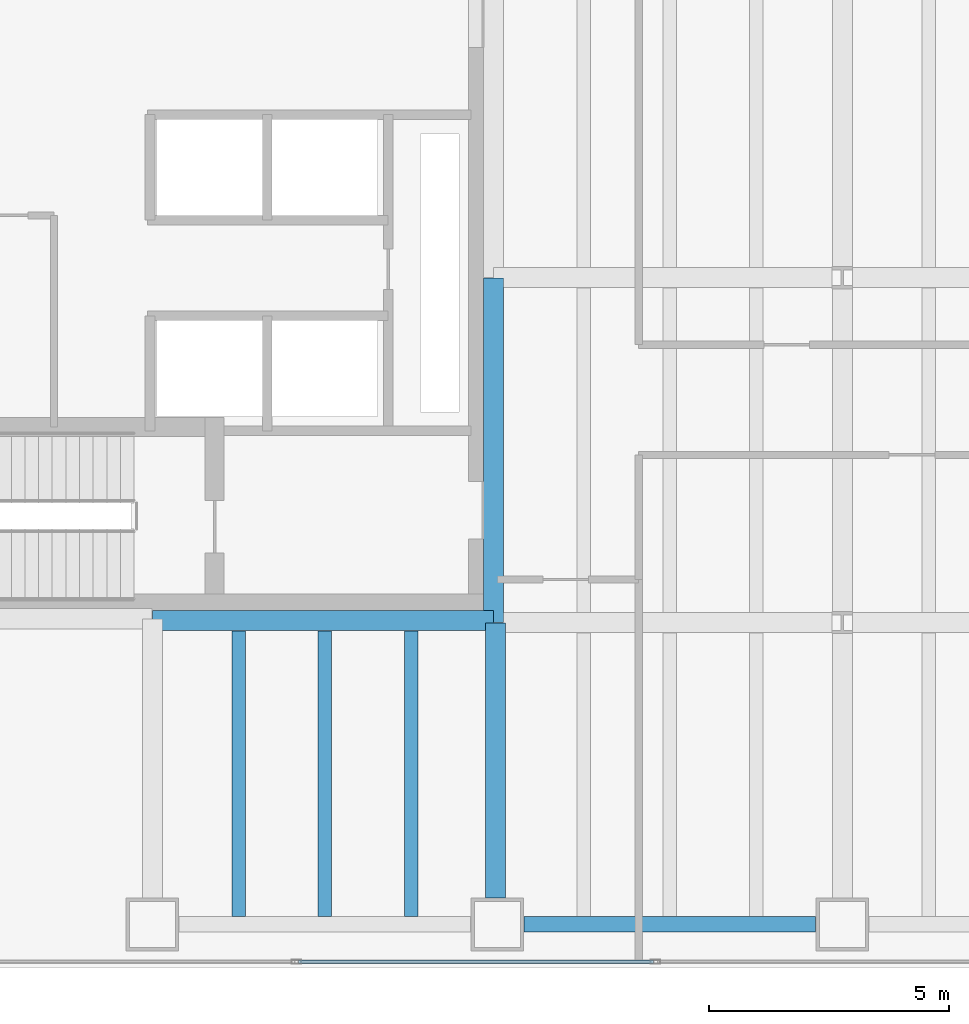
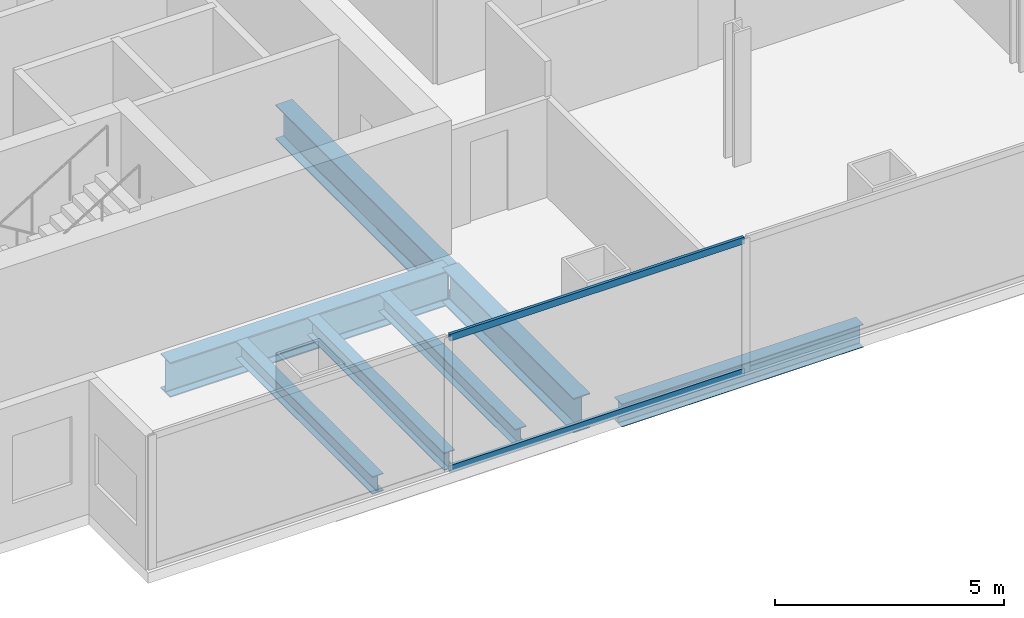
# One storey, part 3 of 25: 7 beams, 2 members, 1 element without a shape of its own.
"""IFC4 building model written with IfcOpenShell, lengths in metres."""

from ifc_helpers import new_model, si_unit, direction, frame, origin, origin_2d, place, context, subcontext, project, spatial, hollow_rectangle, i_section, extrude, material, material_profile, profile_set, type_object, element, aggregate, save


model = new_model("IFC4")

# Units and contexts
model_context = context("Model", 3, precision=1e-05, world=origin(), true_north=direction((0.0, 1.0)))
body_context = subcontext(model_context, "Body", "Model", "MODEL_VIEW")
ifc_project = project(units=[si_unit("LENGTHUNIT", "METRE"), si_unit("AREAUNIT", "SQUARE_METRE"), si_unit("VOLUMEUNIT", "CUBIC_METRE"), si_unit("PLANEANGLEUNIT", "RADIAN"), si_unit("MASSUNIT", "GRAM", prefix="KILO")], contexts=[model_context])

# Site, building, storey
site_placement = place(None, origin())
site = spatial("IfcSite", under=ifc_project, at=site_placement, CompositionType="ELEMENT")
building_placement = place(site_placement, origin())
building = spatial("IfcBuilding", under=site, at=building_placement, Name="Cobrela Telecom Tower", CompositionType="ELEMENT")
storey_placement = place(building_placement, frame((0.0, 0.0, 35.0)))
storey = spatial("IfcBuildingStorey", under=building, at=storey_placement, Name="L08", CompositionType="ELEMENT", Elevation=35.0)

# Beams
ifc_material_1 = material(Name="Steel ASTM A992 Grade 50", Category="steel")
ifc_material_profile_1 = material_profile(ifc_material_1, i_section(OverallWidth=0.4189453125, OverallDepth=0.927001953125, WebThickness=0.019287109375, FlangeThickness=0.031982421875, FilletRadius=0.02392578125, at=origin_2d()), Name="W36X231")
ifc_profile_set_1 = profile_set([ifc_material_profile_1], Name="Steel ASTM A992 Grade 50")
beam_type_1 = type_object("IfcBeamType", Name="BM-GIRD-02", PredefinedType="USERDEFINED", material=ifc_profile_set_1)
beam_1_placement = place(storey_placement, frame((7.205078125, 7.239990234375, -0.743408203125), z_axis=(1.0, 0.0, 0.0), x_axis=(0.0, 1.0, 0.0)))
element("IfcBeam", 1, at=beam_1_placement, inside=storey, type_object=beam_type_1, Name="L08 Primary Girder X07", ObjectType="GIRDER", PredefinedType="USERDEFINED", context=body_context, shape_type="SweptSolid", body=[
    extrude(i_section(OverallWidth=0.4189453125, OverallDepth=0.927001953125, WebThickness=0.019287109375, FlangeThickness=0.031982421875, FilletRadius=0.02392578125, at=origin_2d()), origin(), (0.0, 0.0, 1.0), 7.10986328125),
])
beam_2_placement = place(storey_placement, frame((14.360107421875, 1.455078125, -0.743408203125), z_axis=(0.0, 1.0, 0.0), x_axis=(-1.0, 0.0, 0.0)))
element("IfcBeam", 2, at=beam_2_placement, inside=storey, type_object=beam_type_1, Name="L08 Primary Girder Y34", ObjectType="GIRDER", PredefinedType="USERDEFINED", context=body_context, shape_type="SweptSolid", body=[
    extrude(i_section(OverallWidth=0.4189453125, OverallDepth=0.927001953125, WebThickness=0.019287109375, FlangeThickness=0.031982421875, FilletRadius=0.02392578125, at=origin_2d()), origin(), (0.0, 0.0, 1.0), 5.739990234375),
])
beam_3_placement = place(storey_placement, frame((14.320068359375, 7.205078125, -0.743408203125), z_axis=(0.0, 1.0, 0.0), x_axis=(-1.0, 0.0, 0.0)))
element("IfcBeam", 3, at=beam_3_placement, inside=storey, type_object=beam_type_1, Name="L08 Primary Girder Y35", ObjectType="GIRDER", PredefinedType="USERDEFINED", context=body_context, shape_type="SweptSolid", body=[
    extrude(i_section(OverallWidth=0.4189453125, OverallDepth=0.927001953125, WebThickness=0.019287109375, FlangeThickness=0.031982421875, FilletRadius=0.02392578125, at=origin_2d()), origin(), (0.0, 0.0, 1.0), 7.18994140625),
])
ifc_material_profile_2 = material_profile(ifc_material_1, i_section(OverallWidth=0.281982421875, OverallDepth=0.467041015625, WebThickness=0.01220703125, FlangeThickness=0.01953125, FilletRadius=0.012939453125, at=origin_2d()), Name="W18X86")
ifc_profile_set_2 = profile_set([ifc_material_profile_2], Name="Steel ASTM A992 Grade 50")
beam_type_2 = type_object("IfcBeamType", Name="BM-JOIST-02", PredefinedType="JOIST", material=ifc_profile_set_2)
for number, where, z_axis, x_axis, name in (
    (4, (9.0, 1.0673828125, -0.513427734375), (0.0, 1.0, 0.0), (-1.0, 0.0, 0.0), "L08 Secondary Composite Floor Beam J01"),
    (5, (10.800048828125, 1.0673828125, -0.513427734375), (0.0, 1.0, 0.0), (-1.0, 0.0, 0.0), "L08 Secondary Composite Floor Beam J03"),
    (6, (12.60009765625, 1.0673828125, -0.513427734375), (0.0, 1.0, 0.0), (-1.0, 0.0, 0.0), "L08 Secondary Composite Floor Beam J05"),
):
    element("IfcBeam", number, at=place(storey_placement, frame(where, z_axis=z_axis, x_axis=x_axis)), inside=storey, type_object=beam_type_2, Name=name, PredefinedType="JOIST", context=body_context, shape_type="SweptSolid", body=[
        extrude(i_section(OverallWidth=0.281982421875, OverallDepth=0.467041015625, WebThickness=0.01220703125, FlangeThickness=0.01953125, FilletRadius=0.012939453125, at=origin_2d()), origin(), (0.0, 0.0, 1.0), 5.9580078125),
    ])
ifc_material_profile_3 = material_profile(ifc_material_1, i_section(OverallWidth=0.324951171875, OverallDepth=0.612060546875, WebThickness=0.0126953125, FlangeThickness=0.01904296875, FilletRadius=0.014892578125, at=origin_2d()), Name="W24X104")
ifc_profile_set_3 = profile_set([ifc_material_profile_3], Name="Steel ASTM A992 Grade 50")
beam_type_3 = type_object("IfcBeamType", Name="BM-SPAND-02", PredefinedType="SPANDREL", material=ifc_profile_set_3)
beam_4_placement = place(storey_placement, frame((14.955078125, 0.89990234375, -0.5859375), z_axis=(1.0, 0.0, 0.0), x_axis=(0.0, 1.0, 0.0)))
element("IfcBeam", 7, at=beam_4_placement, inside=storey, type_object=beam_type_3, Name="L08 Perimeter Spandrel X02", PredefinedType="SPANDREL", context=body_context, shape_type="SweptSolid", body=[
    extrude(i_section(OverallWidth=0.324951171875, OverallDepth=0.612060546875, WebThickness=0.0126953125, FlangeThickness=0.01904296875, FilletRadius=0.014892578125, at=origin_2d()), origin(), (0.0, 0.0, 1.0), 6.08984375),
])

# Curtain wall, members
ifc_material_2 = material(Name="Anodized Bronze Aluminium 6063-T6", Category="aluminium")
curtain_wall_type = type_object("IfcCurtainWallType", Name="CW-SYS-DATA", PredefinedType="USERDEFINED", material=ifc_material_2)
curtain_wall_placement = place(storey_placement, origin())
curtain_wall = element("IfcCurtainWall", 8, at=curtain_wall_placement, inside=storey, type_object=curtain_wall_type, Name="L08 Unitised Bronze Curtain Wall 17", ObjectType="UNITISED CURTAIN WALL", PredefinedType="USERDEFINED")
ifc_material_profile_4 = material_profile(ifc_material_2, hollow_rectangle(XDim=0.074951171875, YDim=0.179931640625, WallThickness=0.00390625, at=origin_2d()), Name="ALU 75x180x4")
ifc_profile_set_4 = profile_set([ifc_material_profile_4], Name="Anodized Bronze Aluminium 6063-T6")
member_type = type_object("IfcMemberType", Name="CW-SYS-DATA-TRN", PredefinedType="USERDEFINED", material=ifc_profile_set_4)
member_1_placement = place(storey_placement, frame((17.663330078125, 0.1201171875, 0.03759765625), z_axis=(-1.0, 0.0, 0.0), x_axis=(0.0, -1.0, 0.0)))
member_1 = element("IfcMember", 9, at=member_1_placement, type_object=member_type, Name="CW-DATA transom 5.1", ObjectType="TRANSOM", PredefinedType="USERDEFINED", context=body_context, shape_type="SweptSolid", body=[
    extrude(hollow_rectangle(XDim=0.074951171875, YDim=0.179931640625, WallThickness=0.00390625, at=origin_2d()), origin(), (0.0, 0.0, 1.0), 7.416748046875),
])
member_2_placement = place(storey_placement, frame((17.663330078125, 0.1201171875, 3.532470703125), z_axis=(-1.0, 0.0, 0.0), x_axis=(0.0, -1.0, 0.0)))
member_2 = element("IfcMember", 10, at=member_2_placement, type_object=member_type, Name="CW-DATA transom 5.2", ObjectType="TRANSOM", PredefinedType="USERDEFINED", context=body_context, shape_type="SweptSolid", body=[
    extrude(hollow_rectangle(XDim=0.074951171875, YDim=0.179931640625, WallThickness=0.00390625, at=origin_2d()), origin(), (0.0, 0.0, 1.0), 7.416748046875),
])
aggregate(curtain_wall, [member_1, member_2])

save(model, "model.ifc")
